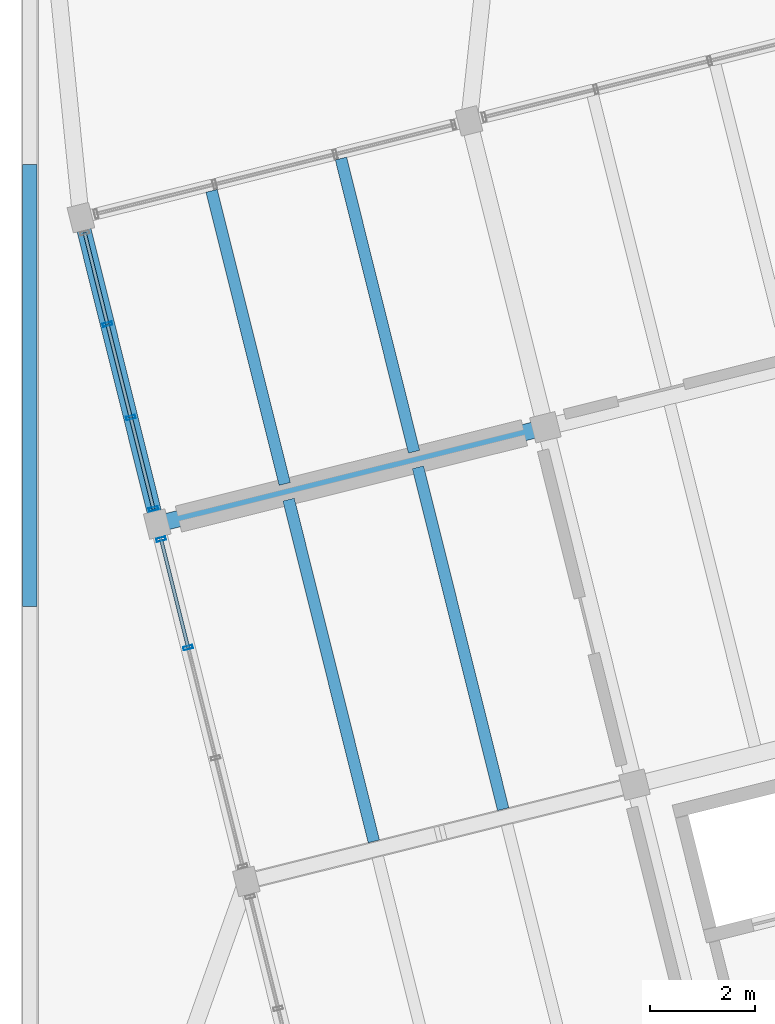
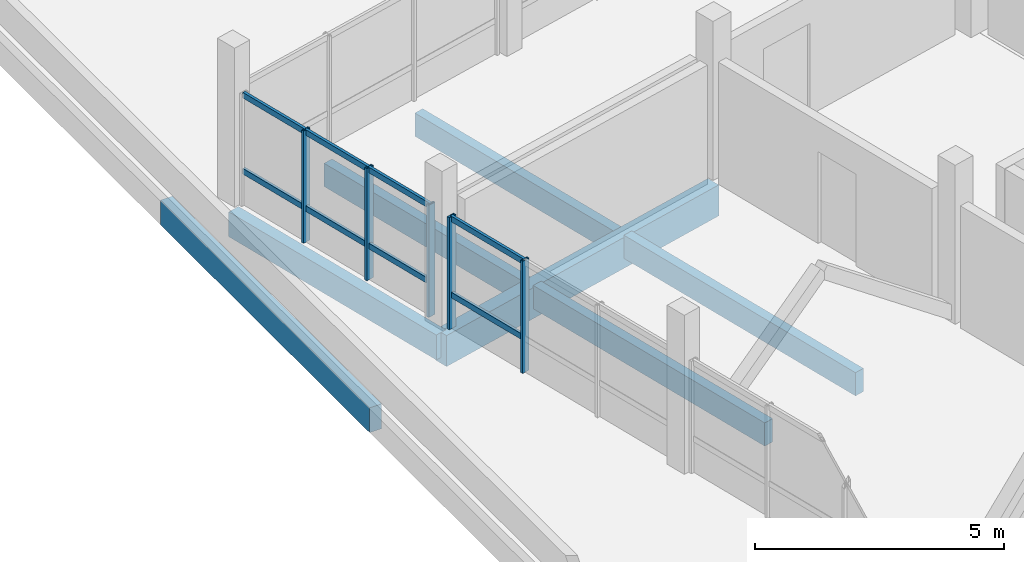
# One storey, part 10 of 37: 13 members, 7 beams, 2 elements without a shape of their own.
"""IFC4 building model written with IfcOpenShell, lengths in metres."""

from ifc_helpers import new_model, si_unit, direction, frame, origin, origin_2d, place, context, subcontext, project, spatial, rectangle, hollow_rectangle, extrude, material, layer, layer_set, material_profile, profile_set, type_object, element, aggregate, save


model = new_model("IFC4")

# Units and contexts
model_context = context("Model", 3, precision=1e-05, world=origin(), true_north=direction((0.0, 1.0)))
body_context = subcontext(model_context, "Body", "Model", "MODEL_VIEW")
ifc_project = project(units=[si_unit("LENGTHUNIT", "METRE"), si_unit("AREAUNIT", "SQUARE_METRE"), si_unit("VOLUMEUNIT", "CUBIC_METRE"), si_unit("PLANEANGLEUNIT", "RADIAN"), si_unit("MASSUNIT", "GRAM", prefix="KILO")], contexts=[model_context])

# Site, building, storey
site_placement = place(None, origin())
site = spatial("IfcSite", under=ifc_project, at=site_placement, CompositionType="ELEMENT")
building_placement = place(site_placement, origin())
building = spatial("IfcBuilding", under=site, at=building_placement, Name="Meriwether Solvik Hall", CompositionType="ELEMENT")
storey_placement = place(building_placement, frame((0.0, 0.0, 26.10009765625)))
storey = spatial("IfcBuildingStorey", under=building, at=storey_placement, Name="L06", CompositionType="ELEMENT", Elevation=26.10009765625)

# Beams
ifc_material_1 = material(Name="Glulam Douglas-Fir 24F-V8 GL28h", Category="wood")
ifc_material_profile_1 = material_profile(ifc_material_1, rectangle(XDim=0.27294921875, YDim=0.610107421875, at=origin_2d()), Name="GLB-273X610")
ifc_profile_set_1 = profile_set([ifc_material_profile_1], Name="Glulam Douglas-Fir 24F-V8 GL28h")
beam_type_1 = type_object("IfcBeamType", Name="BM-GL-273X610", PredefinedType="SPANDREL", material=ifc_profile_set_1)
beam_1_placement = place(storey_placement, frame((59.39990234375, 66.800048828125, -0.5751953125), z_axis=(0.0, 1.0, 0.0), x_axis=(-1.0, 0.0, 0.0)))
element("IfcBeam", 1, at=beam_1_placement, inside=storey, type_object=beam_type_1, Name="Podium Girder 7:H-I (L06)", PredefinedType="SPANDREL", context=body_context, shape_type="SweptSolid", body=[
    extrude(rectangle(XDim=0.27294921875, YDim=0.610107421875, at=origin_2d()), origin(), (0.0, 0.0, 1.0), 8.39990234375),
])
beam_2_placement = place(storey_placement, frame((61.826171875, 68.3681640625, -0.5751953125), z_axis=(-0.241903677572, 0.970300268359, 0.0), x_axis=(-0.970300268359, -0.241903677572, 0.0)))
element("IfcBeam", 2, at=beam_2_placement, inside=storey, type_object=beam_type_1, Name="Tower Girder T1:TE-TF (L06)", PredefinedType="SPANDREL", context=body_context, shape_type="SweptSolid", body=[
    extrude(rectangle(XDim=0.27294921875, YDim=0.610107421875, at=origin_2d()), origin(), (0.0, 0.0, 1.0), 6.0),
])
ifc_material_2 = material(Name="Glulam Douglas-Fir 24F-V8 GL28h", Category="wood")
ifc_material_profile_2 = material_profile(ifc_material_2, rectangle(XDim=0.31494140625, YDim=0.760009765625, at=origin_2d()), Name="GLB-315X760")
ifc_profile_set_2 = profile_set([ifc_material_profile_2], Name="Glulam Douglas-Fir 24F-V8 GL28h")
beam_type_2 = type_object("IfcBeamType", Name="BM-GL-315X760", PredefinedType="BEAM", material=ifc_profile_set_2)
beam_3_placement = place(storey_placement, frame((61.826171875, 68.3681640625, -0.650146484375), z_axis=(0.970295366785, 0.241923337436, 0.0), x_axis=(-0.241923337436, 0.970295366785, 0.0)))
element("IfcBeam", 3, at=beam_3_placement, inside=storey, type_object=beam_type_2, Name="Tower Girder TE:T1-T2 (L06)", PredefinedType="BEAM", context=body_context, shape_type="SweptSolid", body=[
    extrude(rectangle(XDim=0.31494140625, YDim=0.760009765625, at=origin_2d()), origin(), (0.0, 0.0, 1.0), 7.60009765625),
])

# Curtain wall, members
ifc_material_3 = material(Name="Thermally Broken Anodised Aluminium 6063-T6 and Low-E Glass", Category="aluminium")
ifc_layer_1 = layer(ifc_material_3, 0.179931640625)
ifc_layer_set_1 = layer_set([ifc_layer_1], Name="Thermally Broken Anodised Aluminium 6063-T6 and Low-E Glass")
curtain_wall_type_1 = type_object("IfcCurtainWallType", Name="CW-UNIT-E", PredefinedType="USERDEFINED", material=ifc_layer_set_1)
curtain_wall_1_placement = place(storey_placement, origin())
curtain_wall_1 = element("IfcCurtainWall", 4, at=curtain_wall_1_placement, inside=storey, type_object=curtain_wall_type_1, Name="Curtain Wall E5_B3 (L06)", ObjectType="UNITISED CURTAIN WALL", PredefinedType="USERDEFINED")
ifc_material_4 = material(Name="Anodised Aluminium 6063-T6", Category="aluminium")
ifc_material_profile_3 = material_profile(ifc_material_4, hollow_rectangle(XDim=0.06494140625, YDim=0.179931640625, WallThickness=0.00439453125, at=origin_2d()), Name="CWM-65X180")
ifc_profile_set_3 = profile_set([ifc_material_profile_3], Name="Anodised Aluminium 6063-T6")
member_type_1 = type_object("IfcMemberType", Name="CW-MUL-65X180", PredefinedType="MULLION", material=ifc_profile_set_3)
member_1_placement = place(storey_placement, frame((62.41162109375, 66.020263671875, 0.0), z_axis=(0.0, 0.0, 1.0), x_axis=(-0.241921764185, 0.970295759041, 0.0)))
member_1 = element("IfcMember", 5, at=member_1_placement, type_object=member_type_1, Name="Curtain Wall Mullion 3", PredefinedType="MULLION", context=body_context, shape_type="SweptSolid", body=[
    extrude(hollow_rectangle(XDim=0.06494140625, YDim=0.179931640625, WallThickness=0.00439453125, at=origin_2d()), origin(), (0.0, 0.0, 1.0), 2.75),
])
member_2_placement = place(storey_placement, frame((61.898193359375, 68.07958984375, 0.0), z_axis=(0.0, 0.0, 1.0), x_axis=(-0.241921764185, 0.970295759041, 0.0)))
member_2 = element("IfcMember", 6, at=member_2_placement, type_object=member_type_1, Name="Curtain Wall Mullion 4", PredefinedType="MULLION", context=body_context, shape_type="SweptSolid", body=[
    extrude(hollow_rectangle(XDim=0.06494140625, YDim=0.179931640625, WallThickness=0.00439453125, at=origin_2d()), origin(), (0.0, 0.0, 1.0), 2.75),
])

ifc_material_5 = material(Name="Thermally Broken Anodised Aluminium 6063-T6 and Low-E Glass", Category="aluminium")
ifc_layer_2 = layer(ifc_material_5, 0.179931640625)
ifc_layer_set_2 = layer_set([ifc_layer_2], Name="Thermally Broken Anodised Aluminium 6063-T6 and Low-E Glass")
curtain_wall_type_2 = type_object("IfcCurtainWallType", Name="CW-UNIT-F", PredefinedType="USERDEFINED", material=ifc_layer_set_2)
curtain_wall_2_placement = place(storey_placement, origin())
curtain_wall_2 = element("IfcCurtainWall", 7, at=curtain_wall_2_placement, inside=storey, type_object=curtain_wall_type_2, Name="Curtain Wall E5_B4 (L06)", ObjectType="UNITISED CURTAIN WALL", PredefinedType="USERDEFINED")
member_3_placement = place(storey_placement, frame((61.754150390625, 68.656982421875, 0.0), z_axis=(0.0, 0.0, 1.0), x_axis=(-0.241921905778, 0.970295723738, 0.0)))
member_3 = element("IfcMember", 8, at=member_3_placement, type_object=member_type_1, Name="Curtain Wall Mullion 1", PredefinedType="MULLION", context=body_context, shape_type="SweptSolid", body=[
    extrude(hollow_rectangle(XDim=0.06494140625, YDim=0.179931640625, WallThickness=0.00439453125, at=origin_2d()), origin(), (0.0, 0.0, 1.0), 2.75),
])
member_4_placement = place(storey_placement, frame((61.321533203125, 70.392822265625, 0.0), z_axis=(0.0, 0.0, 1.0), x_axis=(-0.241921905778, 0.970295723738, 0.0)))
member_4 = element("IfcMember", 9, at=member_4_placement, type_object=member_type_1, Name="Curtain Wall Mullion 2", PredefinedType="MULLION", context=body_context, shape_type="SweptSolid", body=[
    extrude(hollow_rectangle(XDim=0.06494140625, YDim=0.179931640625, WallThickness=0.00439453125, at=origin_2d()), origin(), (0.0, 0.0, 1.0), 2.75),
])
member_5_placement = place(storey_placement, frame((60.87939453125, 72.16552734375, 0.0), z_axis=(0.0, 0.0, 1.0), x_axis=(-0.241921905778, 0.970295723738, 0.0)))
member_5 = element("IfcMember", 10, at=member_5_placement, type_object=member_type_1, Name="Curtain Wall Mullion 3", PredefinedType="MULLION", context=body_context, shape_type="SweptSolid", body=[
    extrude(hollow_rectangle(XDim=0.06494140625, YDim=0.179931640625, WallThickness=0.00439453125, at=origin_2d()), origin(), (0.0, 0.0, 1.0), 2.75),
])

# Member
ifc_material_6 = material(Name="Anodised Aluminium 6063-T6", Category="aluminium")
ifc_material_profile_4 = material_profile(ifc_material_6, hollow_rectangle(XDim=0.06494140625, YDim=0.139892578125, WallThickness=0.00439453125, at=origin_2d()), Name="CWT-65X140")
ifc_profile_set_4 = profile_set([ifc_material_profile_4], Name="Anodised Aluminium 6063-T6")
member_type_2 = type_object("IfcMemberType", Name="CW-TRN-65X140", PredefinedType="USERDEFINED", material=ifc_profile_set_4)
member_6_placement = place(storey_placement, frame((62.41162109375, 66.020263671875, 0.824951171875), z_axis=(-0.241913047052, 0.970297932424, 0.0), x_axis=(-0.970297932424, -0.241913047052, 0.0)))
member_6 = element("IfcMember", 11, at=member_6_placement, type_object=member_type_2, Name="Curtain Wall Transom 3-sill", ObjectType="TRANSOM", PredefinedType="USERDEFINED", context=body_context, shape_type="SweptSolid", body=[
    extrude(hollow_rectangle(XDim=0.06494140625, YDim=0.139892578125, WallThickness=0.00439453125, at=origin_2d()), origin(), (0.0, 0.0, 1.0), 2.122314453125),
])

member_7_placement = place(storey_placement, frame((62.41162109375, 66.020263671875, 2.68994140625), z_axis=(-0.241913047052, 0.970297932424, 0.0), x_axis=(-0.970297932424, -0.241913047052, 0.0)))
member_7 = element("IfcMember", 12, at=member_7_placement, type_object=member_type_2, Name="Curtain Wall Transom 3-head", ObjectType="TRANSOM", PredefinedType="USERDEFINED", context=body_context, shape_type="SweptSolid", body=[
    extrude(hollow_rectangle(XDim=0.06494140625, YDim=0.139892578125, WallThickness=0.00439453125, at=origin_2d()), origin(), (0.0, 0.0, 1.0), 2.122314453125),
])

aggregate(curtain_wall_1, [member_1, member_2, member_6, member_7])

member_8_placement = place(storey_placement, frame((61.754150390625, 68.656982421875, 0.824951171875), z_axis=(-0.241829115303, 0.970318854291, 0.0), x_axis=(-0.970318854291, -0.241829115303, 0.0)))
member_8 = element("IfcMember", 13, at=member_8_placement, type_object=member_type_2, Name="Curtain Wall Transom 1-sill", ObjectType="TRANSOM", PredefinedType="USERDEFINED", context=body_context, shape_type="SweptSolid", body=[
    extrude(hollow_rectangle(XDim=0.06494140625, YDim=0.139892578125, WallThickness=0.00439453125, at=origin_2d()), origin(), (0.0, 0.0, 1.0), 1.788818359375),
])

member_9_placement = place(storey_placement, frame((61.754150390625, 68.656982421875, 2.68994140625), z_axis=(-0.241829115303, 0.970318854291, 0.0), x_axis=(-0.970318854291, -0.241829115303, 0.0)))
member_9 = element("IfcMember", 14, at=member_9_placement, type_object=member_type_2, Name="Curtain Wall Transom 1-head", ObjectType="TRANSOM", PredefinedType="USERDEFINED", context=body_context, shape_type="SweptSolid", body=[
    extrude(hollow_rectangle(XDim=0.06494140625, YDim=0.139892578125, WallThickness=0.00439453125, at=origin_2d()), origin(), (0.0, 0.0, 1.0), 1.788818359375),
])

member_10_placement = place(storey_placement, frame((61.321533203125, 70.392822265625, 0.824951171875), z_axis=(-0.242001074531, 0.97027598132, 0.0), x_axis=(-0.97027598132, -0.242001074531, 0.0)))
member_10 = element("IfcMember", 15, at=member_10_placement, type_object=member_type_2, Name="Curtain Wall Transom 2-sill", ObjectType="TRANSOM", PredefinedType="USERDEFINED", context=body_context, shape_type="SweptSolid", body=[
    extrude(hollow_rectangle(XDim=0.06494140625, YDim=0.139892578125, WallThickness=0.00439453125, at=origin_2d()), origin(), (0.0, 0.0, 1.0), 1.826904296875),
])

member_11_placement = place(storey_placement, frame((61.321533203125, 70.392822265625, 2.68994140625), z_axis=(-0.242001074531, 0.97027598132, 0.0), x_axis=(-0.97027598132, -0.242001074531, 0.0)))
member_11 = element("IfcMember", 16, at=member_11_placement, type_object=member_type_2, Name="Curtain Wall Transom 2-head", ObjectType="TRANSOM", PredefinedType="USERDEFINED", context=body_context, shape_type="SweptSolid", body=[
    extrude(hollow_rectangle(XDim=0.06494140625, YDim=0.139892578125, WallThickness=0.00439453125, at=origin_2d()), origin(), (0.0, 0.0, 1.0), 1.826904296875),
])

member_12_placement = place(storey_placement, frame((60.87939453125, 72.16552734375, 0.824951171875), z_axis=(-0.241957600267, 0.970286823405, 0.0), x_axis=(-0.970286823405, -0.241957600267, 0.0)))
member_12 = element("IfcMember", 17, at=member_12_placement, type_object=member_type_2, Name="Curtain Wall Transom 3-sill", ObjectType="TRANSOM", PredefinedType="USERDEFINED", context=body_context, shape_type="SweptSolid", body=[
    extrude(hollow_rectangle(XDim=0.06494140625, YDim=0.139892578125, WallThickness=0.00439453125, at=origin_2d()), origin(), (0.0, 0.0, 1.0), 1.7890625),
])

member_13_placement = place(storey_placement, frame((60.87939453125, 72.16552734375, 2.68994140625), z_axis=(-0.241957600267, 0.970286823405, 0.0), x_axis=(-0.970286823405, -0.241957600267, 0.0)))
member_13 = element("IfcMember", 18, at=member_13_placement, type_object=member_type_2, Name="Curtain Wall Transom 3-head", ObjectType="TRANSOM", PredefinedType="USERDEFINED", context=body_context, shape_type="SweptSolid", body=[
    extrude(hollow_rectangle(XDim=0.06494140625, YDim=0.139892578125, WallThickness=0.00439453125, at=origin_2d()), origin(), (0.0, 0.0, 1.0), 1.7890625),
])

aggregate(curtain_wall_2, [member_3, member_4, member_5, member_8, member_9, member_10, member_11, member_12, member_13])

# Beams
ifc_material_7 = material(Name="Glulam Douglas-Fir 24F-V8 GL28h", Category="wood")
ifc_material_profile_5 = material_profile(ifc_material_7, rectangle(XDim=0.221923828125, YDim=0.570068359375, at=origin_2d()), Name="GLJ-222X570")
ifc_profile_set_5 = profile_set([ifc_material_profile_5], Name="Glulam Douglas-Fir 24F-V8 GL28h")
beam_type_3 = type_object("IfcBeamType", Name="JST-GL-222X570", PredefinedType="JOIST", material=ifc_profile_set_5)
for number, where, z_axis, x_axis, name in (
    (19, (65.94091796875, 62.337158203125, -0.505126953125), (-0.241952124656, 0.970288188825, 0.0), (-0.970288188825, -0.241952124656, 0.0), "Glulam Floor Joist T1/TD-J1 (L06)"),
    (20, (68.39892578125, 62.949951171875, -0.505126953125), (-0.241917792922, 0.970296749179, 0.0), (-0.970296749179, -0.241917792922, 0.0), "Glulam Floor Joist T1/TD-J2 (L06)"),
):
    element("IfcBeam", number, at=place(storey_placement, frame(where, z_axis=z_axis, x_axis=x_axis)), inside=storey, type_object=beam_type_3, Name=name, PredefinedType="JOIST", context=body_context, shape_type="SweptSolid", body=[
        extrude(rectangle(XDim=0.221923828125, YDim=0.570068359375, at=origin_2d()), origin(), (0.0, 0.0, 1.0), 6.695068359375),
    ])
beam_4_placement = place(storey_placement, frame((64.247314453125, 69.129150390625, -0.55517578125), z_axis=(-0.241915235082, 0.970297386905, 0.0), x_axis=(-0.970297386905, -0.241915235082, 0.0)))
element("IfcBeam", 21, at=beam_4_placement, inside=storey, type_object=beam_type_3, Name="Glulam Floor Joist T1/TE-J1 (L06)", PredefinedType="JOIST", context=body_context, shape_type="SweptSolid", body=[
    extrude(rectangle(XDim=0.221923828125, YDim=0.570068359375, at=origin_2d()), origin(), (0.0, 0.0, 1.0), 5.741455078125),
])
beam_5_placement = place(storey_placement, frame((66.70556640625, 69.741943359375, -0.55517578125), z_axis=(-0.241945286667, 0.970289893928, 0.0), x_axis=(-0.970289893928, -0.241945286667, 0.0)))
element("IfcBeam", 22, at=beam_5_placement, inside=storey, type_object=beam_type_3, Name="Glulam Floor Joist T1/TE-J2 (L06)", PredefinedType="JOIST", context=body_context, shape_type="SweptSolid", body=[
    extrude(rectangle(XDim=0.221923828125, YDim=0.570068359375, at=origin_2d()), origin(), (0.0, 0.0, 1.0), 5.74169921875),
])

save(model, "model.ifc")
